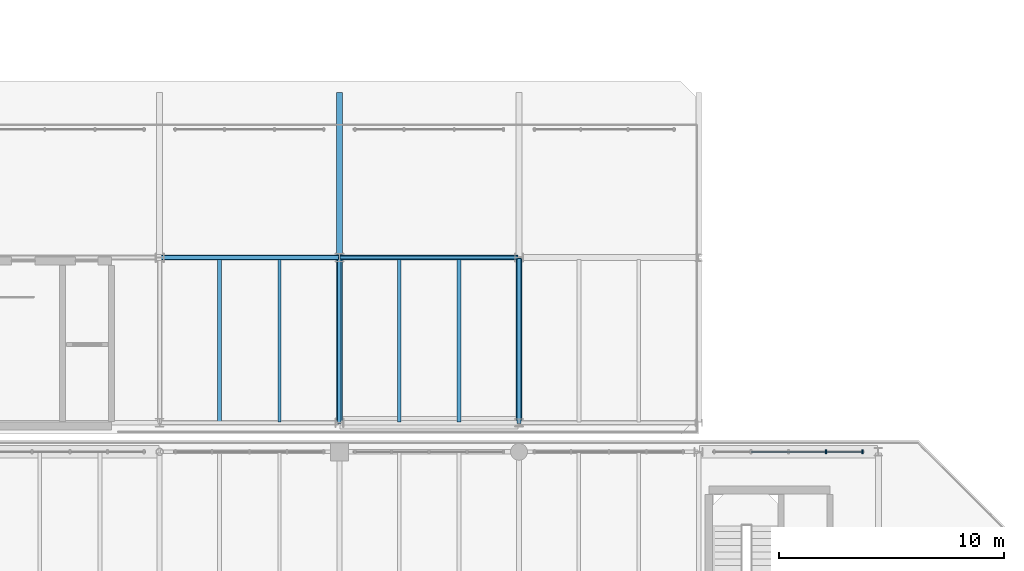
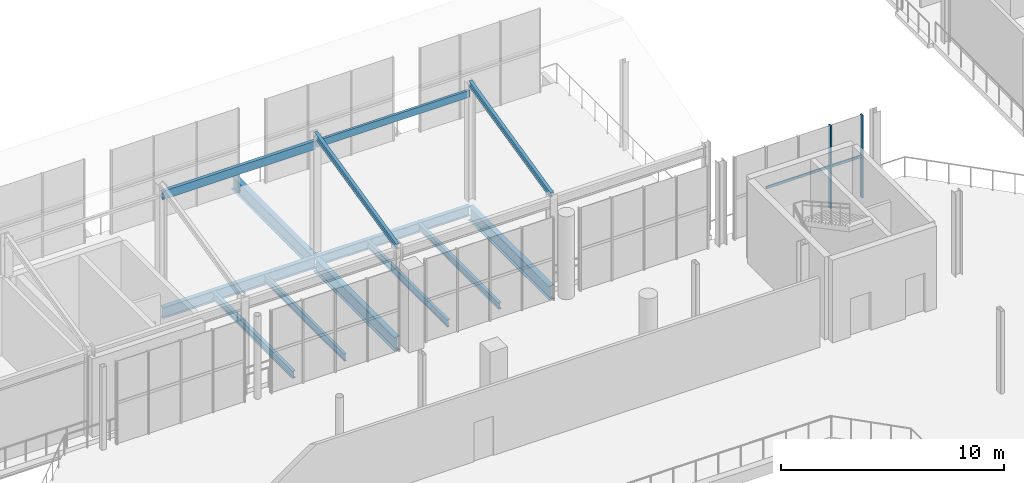
# One storey, part 34 of 70: 9 beams, 9 members, 1 element without a shape of its own.
"""IFC4 building model written with IfcOpenShell, lengths in metres."""

from ifc_helpers import new_model, si_unit, direction, frame, origin, origin_2d, place, context, subcontext, project, spatial, rectangle, i_section, extrude, material, material_profile, profile_set, type_object, element, aggregate, save


model = new_model("IFC4")

# Units and contexts
model_context = context("Model", 3, precision=1e-05, world=origin(), true_north=direction((0.0, 1.0)))
body_context = subcontext(model_context, "Body", "Model", "MODEL_VIEW")
ifc_project = project(units=[si_unit("LENGTHUNIT", "METRE"), si_unit("AREAUNIT", "SQUARE_METRE"), si_unit("VOLUMEUNIT", "CUBIC_METRE"), si_unit("PLANEANGLEUNIT", "RADIAN"), si_unit("MASSUNIT", "GRAM", prefix="KILO")], contexts=[model_context])

# Site, building, storey
site_placement = place(None, origin())
site = spatial("IfcSite", under=ifc_project, at=site_placement, CompositionType="ELEMENT")
building_placement = place(site_placement, origin())
building = spatial("IfcBuilding", under=site, at=building_placement, Name="Brisemont Oceanarium", CompositionType="ELEMENT")
storey_placement = place(building_placement, frame((0.0, 0.0, 10.199951171875)))
storey = spatial("IfcBuildingStorey", under=building, at=storey_placement, Name="L02", CompositionType="ELEMENT", Elevation=10.199951171875)

# Beams
ifc_material_1 = material(Name="Structural Steel ASTM A992 Gr.50", Category="steel")
ifc_material_profile_1 = material_profile(ifc_material_1, i_section(OverallWidth=0.1708984375, OverallDepth=0.35107421875, WebThickness=0.0068359375, FlangeThickness=0.009765625, FilletRadius=0.010009765625, at=origin_2d()), Name="W14X30")
ifc_profile_set_1 = profile_set([ifc_material_profile_1], Name="Structural Steel ASTM A992 Gr.50")
beam_type_1 = type_object("IfcBeamType", Name="BM-W14X30", PredefinedType="JOIST", material=ifc_profile_set_1)
beam_1_placement = place(storey_placement, frame((85.333251953125, 80.68994140625, -0.475341796875), z_axis=(0.0, 1.0, 0.0), x_axis=(-1.0, 0.0, 0.0)))
element("IfcBeam", 1, at=beam_1_placement, inside=storey, type_object=beam_type_1, Name="V7E L02 secondary floor beam", PredefinedType="JOIST", context=body_context, shape_type="SweptSolid", body=[
    extrude(i_section(OverallWidth=0.1708984375, OverallDepth=0.35107421875, WebThickness=0.0068359375, FlangeThickness=0.009765625, FilletRadius=0.010009765625, at=origin_2d()), origin(), (0.0, 0.0, 1.0), 7.219970703125),
])
ifc_material_2 = material(Name="Structural Steel ASTM A992 Gr.50", Category="steel")
ifc_material_profile_2 = material_profile(ifc_material_2, i_section(OverallWidth=0.139892578125, OverallDepth=0.39892578125, WebThickness=0.00634765625, FlangeThickness=0.0087890625, FilletRadius=0.010009765625, at=origin_2d()), Name="W16X26")
ifc_profile_set_2 = profile_set([ifc_material_profile_2], Name="Structural Steel ASTM A992 Gr.50")
beam_type_2 = type_object("IfcBeamType", Name="BM-W16X26", PredefinedType="JOIST", material=ifc_profile_set_2)
for number, where, z_axis, x_axis, name in (
    (2, (77.333251953125, 80.68994140625, -0.49951171875), (0.0, 1.0, 0.0), (-1.0, 0.0, 0.0), "V7E L02 secondary floor beam"),
    (3, (82.666748046875, 80.68994140625, -0.49951171875), (0.0, 1.0, 0.0), (-1.0, 0.0, 0.0), "V7E L02 secondary floor beam"),
):
    element("IfcBeam", number, at=place(storey_placement, frame(where, z_axis=z_axis, x_axis=x_axis)), inside=storey, type_object=beam_type_2, Name=name, PredefinedType="JOIST", context=body_context, shape_type="SweptSolid", body=[
        extrude(i_section(OverallWidth=0.139892578125, OverallDepth=0.39892578125, WebThickness=0.00634765625, FlangeThickness=0.0087890625, FilletRadius=0.010009765625, at=origin_2d()), origin(), (0.0, 0.0, 1.0), 7.219970703125),
    ])
ifc_material_3 = material(Name="Structural Steel ASTM A992 Gr.50", Category="steel")
ifc_material_profile_3 = material_profile(ifc_material_3, i_section(OverallWidth=0.177978515625, OverallDepth=0.404052734375, WebThickness=0.007568359375, FlangeThickness=0.010986328125, FilletRadius=0.010009765625, at=origin_2d()), Name="W16X36")
ifc_profile_set_3 = profile_set([ifc_material_profile_3], Name="Structural Steel ASTM A992 Gr.50")
beam_type_3 = type_object("IfcBeamType", Name="BM-W16X36", PredefinedType="JOIST", material=ifc_profile_set_3)
beam_2_placement = place(storey_placement, frame((74.666748046875, 80.68994140625, -0.501953125), z_axis=(0.0, 1.0, 0.0), x_axis=(-1.0, 0.0, 0.0)))
element("IfcBeam", 4, at=beam_2_placement, inside=storey, type_object=beam_type_3, Name="V7E L02 secondary floor beam", PredefinedType="JOIST", context=body_context, shape_type="SweptSolid", body=[
    extrude(i_section(OverallWidth=0.177978515625, OverallDepth=0.404052734375, WebThickness=0.007568359375, FlangeThickness=0.010986328125, FilletRadius=0.010009765625, at=origin_2d()), origin(), (0.0, 0.0, 1.0), 7.219970703125),
])
ifc_material_4 = material(Name="Structural Steel ASTM A992 Gr.50", Category="steel")
ifc_material_profile_4 = material_profile(ifc_material_4, i_section(OverallWidth=0.2099609375, OverallDepth=0.532958984375, WebThickness=0.01025390625, FlangeThickness=0.015625, FilletRadius=0.012939453125, at=origin_2d()), Name="W21X62")
ifc_profile_set_4 = profile_set([ifc_material_profile_4], Name="Structural Steel ASTM A992 Gr.50")
beam_type_4 = type_object("IfcBeamType", Name="BM-W21X62", PredefinedType="BEAM", material=ifc_profile_set_4)
beam_3_placement = place(storey_placement, frame((80.0400390625, 88.0, -0.56640625), z_axis=(1.0, 0.0, 0.0), x_axis=(0.0, 1.0, 0.0)))
element("IfcBeam", 5, at=beam_3_placement, inside=storey, type_object=beam_type_4, Name="V7E L02 EW girder", PredefinedType="BEAM", context=body_context, shape_type="SweptSolid", body=[
    extrude(i_section(OverallWidth=0.2099609375, OverallDepth=0.532958984375, WebThickness=0.01025390625, FlangeThickness=0.015625, FilletRadius=0.012939453125, at=origin_2d()), origin(), (0.0, 0.0, 1.0), 7.919921875),
])
ifc_material_5 = material(Name="Structural Steel ASTM A992 Gr.50", Category="steel")
ifc_material_profile_5 = material_profile(ifc_material_5, i_section(OverallWidth=0.22802734375, OverallDepth=0.60205078125, WebThickness=0.010498046875, FlangeThickness=0.014892578125, FilletRadius=0.012939453125, at=origin_2d()), Name="W24X68")
ifc_profile_set_5 = profile_set([ifc_material_profile_5], Name="Structural Steel ASTM A992 Gr.50")
beam_type_5 = type_object("IfcBeamType", Name="BM-W24X68", PredefinedType="BEAM", material=ifc_profile_set_5)
beam_4_placement = place(storey_placement, frame((72.0400390625, 88.0, -0.600830078125), z_axis=(1.0, 0.0, 0.0), x_axis=(0.0, 1.0, 0.0)))
element("IfcBeam", 6, at=beam_4_placement, inside=storey, type_object=beam_type_5, Name="V7E L02 EW girder", PredefinedType="BEAM", context=body_context, shape_type="SweptSolid", body=[
    extrude(i_section(OverallWidth=0.22802734375, OverallDepth=0.60205078125, WebThickness=0.010498046875, FlangeThickness=0.014892578125, FilletRadius=0.012939453125, at=origin_2d()), origin(), (0.0, 0.0, 1.0), 7.919921875),
])
ifc_material_6 = material(Name="Structural Steel ASTM A992 Gr.50", Category="steel")
ifc_material_profile_6 = material_profile(ifc_material_6, i_section(OverallWidth=0.26708984375, OverallDepth=0.761962890625, WebThickness=0.014404296875, FlangeThickness=0.021484375, FilletRadius=0.01611328125, at=origin_2d()), Name="W30X116")
ifc_profile_set_6 = profile_set([ifc_material_profile_6], Name="Structural Steel ASTM A992 Gr.50")
beam_type_6 = type_object("IfcBeamType", Name="BM-W30X116", PredefinedType="BEAM", material=ifc_profile_set_6)
beam_5_placement = place(storey_placement, frame((80.0, 80.68994140625, -0.680908203125), z_axis=(0.0, 1.0, 0.0), x_axis=(-1.0, 0.0, 0.0)))
element("IfcBeam", 7, at=beam_5_placement, inside=storey, type_object=beam_type_6, Name="V7E L02 NS girder", PredefinedType="BEAM", context=body_context, shape_type="SweptSolid", body=[
    extrude(i_section(OverallWidth=0.26708984375, OverallDepth=0.761962890625, WebThickness=0.014404296875, FlangeThickness=0.021484375, FilletRadius=0.01611328125, at=origin_2d()), origin(), (0.0, 0.0, 1.0), 7.27001953125),
])
ifc_material_7 = material(Name="Structural Steel ASTM A992 Gr.50", Category="steel")
ifc_material_profile_7 = material_profile(ifc_material_7, i_section(OverallWidth=0.264892578125, OverallDepth=0.7529296875, WebThickness=0.01318359375, FlangeThickness=0.01708984375, FilletRadius=0.01611328125, at=origin_2d()), Name="W30X99")
ifc_profile_set_7 = profile_set([ifc_material_profile_7], Name="Structural Steel ASTM A992 Gr.50")
beam_type_7 = type_object("IfcBeamType", Name="BM-W30X99", PredefinedType="BEAM", material=ifc_profile_set_7)
beam_6_placement = place(storey_placement, frame((80.0, 88.0400390625, -0.676513671875), z_axis=(0.0, 1.0, 0.0), x_axis=(-1.0, 0.0, 0.0)))
element("IfcBeam", 8, at=beam_6_placement, inside=storey, type_object=beam_type_7, Name="V7E L02 NS girder", PredefinedType="BEAM", context=body_context, shape_type="SweptSolid", body=[
    extrude(i_section(OverallWidth=0.264892578125, OverallDepth=0.7529296875, WebThickness=0.01318359375, FlangeThickness=0.01708984375, FilletRadius=0.01611328125, at=origin_2d()), origin(), (0.0, 0.0, 1.0), 7.320068359375),
])
beam_7_placement = place(storey_placement, frame((88.0, 80.68994140625, -0.676513671875), z_axis=(0.0, 1.0, 0.0), x_axis=(-1.0, 0.0, 0.0)))
element("IfcBeam", 9, at=beam_7_placement, inside=storey, type_object=beam_type_7, Name="V7E L02 NS girder", PredefinedType="BEAM", context=body_context, shape_type="SweptSolid", body=[
    extrude(i_section(OverallWidth=0.264892578125, OverallDepth=0.7529296875, WebThickness=0.01318359375, FlangeThickness=0.01708984375, FilletRadius=0.01611328125, at=origin_2d()), origin(), (0.0, 0.0, 1.0), 7.27001953125),
])

# Curtain wall, members
ifc_material_8 = material(Name="Anodized Extruded Aluminum 6063-T6", Category="aluminium")
curtain_wall_type = type_object("IfcCurtainWallType", Name="CW-POR-69X44", PredefinedType="NOTDEFINED", material=ifc_material_8)
curtain_wall_placement = place(storey_placement, origin())
curtain_wall = element("IfcCurtainWall", 10, at=curtain_wall_placement, inside=storey, type_object=curtain_wall_type, Name="CW-20 curtain wall CW-V1-N-L02-05", PredefinedType="NOTDEFINED")
ifc_material_9 = material(Name="Anodized Extruded Aluminum 6063-T6", Category="aluminium")
ifc_material_profile_8 = material_profile(ifc_material_9, rectangle(XDim=0.06494140625, YDim=0.179931640625, at=origin_2d()), Name="CWM-65X180")
ifc_profile_set_8 = profile_set([ifc_material_profile_8], Name="Anodized Extruded Aluminum 6063-T6")
member_type_1 = type_object("IfcMemberType", Name="MEM-CWM-65", PredefinedType="MULLION", material=ifc_profile_set_8)
member_1_placement = place(storey_placement, frame((101.675048828125, 79.35009765625, 0.0), z_axis=(0.0, 0.0, 1.0), x_axis=(1.0, 0.0, 0.0)))
member_1 = element("IfcMember", 11, at=member_1_placement, type_object=member_type_1, Name="CW-V1-N-L02-05 mullion 4", PredefinedType="MULLION", context=body_context, shape_type="SweptSolid", body=[
    extrude(rectangle(XDim=0.06494140625, YDim=0.179931640625, at=origin_2d()), origin(), (0.0, 0.0, 1.0), 4.52001953125),
])
member_2_placement = place(storey_placement, frame((103.304931640625, 79.35009765625, 0.0), z_axis=(0.0, 0.0, 1.0), x_axis=(1.0, 0.0, 0.0)))
member_2 = element("IfcMember", 12, at=member_2_placement, type_object=member_type_1, Name="CW-V1-N-L02-05 mullion 5", PredefinedType="MULLION", context=body_context, shape_type="SweptSolid", body=[
    extrude(rectangle(XDim=0.06494140625, YDim=0.179931640625, at=origin_2d()), origin(), (0.0, 0.0, 1.0), 4.52001953125),
])
ifc_material_10 = material(Name="Anodized Extruded Aluminum 6063-T6", Category="aluminium")
ifc_material_profile_9 = material_profile(ifc_material_10, rectangle(XDim=0.06494140625, YDim=0.139892578125, at=origin_2d()), Name="CWT-65X140")
ifc_profile_set_9 = profile_set([ifc_material_profile_9], Name="Anodized Extruded Aluminum 6063-T6")
member_type_2 = type_object("IfcMemberType", Name="MEM-CWT-65", PredefinedType="USERDEFINED", material=ifc_profile_set_9)
member_3_placement = place(storey_placement, frame((98.340087890625, 79.35009765625, 2.260009765625), z_axis=(1.0, 0.0, 0.0), x_axis=(0.0, 1.0, 0.0)))
member_3 = element("IfcMember", 13, at=member_3_placement, type_object=member_type_2, Name="CW-V1-N-L02-05 transom 2.1", ObjectType="TRANSOM", PredefinedType="USERDEFINED", context=body_context, shape_type="SweptSolid", body=[
    extrude(rectangle(XDim=0.06494140625, YDim=0.139892578125, at=origin_2d()), origin(), (0.0, 0.0, 1.0), 1.64501953125),
])
member_4_placement = place(storey_placement, frame((100.014892578125, 79.35009765625, 2.260009765625), z_axis=(1.0, 0.0, 0.0), x_axis=(0.0, 1.0, 0.0)))
member_4 = element("IfcMember", 14, at=member_4_placement, type_object=member_type_2, Name="CW-V1-N-L02-05 transom 3.1", ObjectType="TRANSOM", PredefinedType="USERDEFINED", context=body_context, shape_type="SweptSolid", body=[
    extrude(rectangle(XDim=0.06494140625, YDim=0.139892578125, at=origin_2d()), origin(), (0.0, 0.0, 1.0), 1.64501953125),
])
member_5_placement = place(storey_placement, frame((101.68994140625, 79.35009765625, 2.260009765625), z_axis=(1.0, 0.0, 0.0), x_axis=(0.0, 1.0, 0.0)))
member_5 = element("IfcMember", 15, at=member_5_placement, type_object=member_type_2, Name="CW-V1-N-L02-05 transom 4.1", ObjectType="TRANSOM", PredefinedType="USERDEFINED", context=body_context, shape_type="SweptSolid", body=[
    extrude(rectangle(XDim=0.06494140625, YDim=0.139892578125, at=origin_2d()), origin(), (0.0, 0.0, 1.0), 1.64501953125),
])
aggregate(curtain_wall, [member_1, member_2, member_3, member_4, member_5])

# Members
ifc_material_11 = material(Name="Glulam Timber 24F-V4 DF", Category="wood")
ifc_material_profile_10 = material_profile(ifc_material_11, rectangle(XDim=0.1298828125, YDim=0.381103515625, at=origin_2d()), Name="GL-130X381")
ifc_profile_set_10 = profile_set([ifc_material_profile_10], Name="Glulam Timber 24F-V4 DF")
member_type_3 = type_object("IfcMemberType", Name="MEM-PU-GL130", PredefinedType="PURLIN", material=ifc_profile_set_10)
member_6_placement = place(storey_placement, frame((80.0400390625, 88.0, 5.830078125), z_axis=(1.0, 0.0, 0.0), x_axis=(0.0, 1.0, 0.0)))
element("IfcMember", 16, at=member_6_placement, inside=storey, type_object=member_type_3, Name="V7E ridge purlin 3", PredefinedType="PURLIN", context=body_context, shape_type="SweptSolid", body=[
    extrude(rectangle(XDim=0.1298828125, YDim=0.381103515625, at=origin_2d()), origin(), (0.0, 0.0, 1.0), 7.919921875),
])
ifc_material_12 = material(Name="Glulam Timber 24F-V4 DF", Category="wood")
ifc_material_profile_11 = material_profile(ifc_material_12, rectangle(XDim=0.1708984375, YDim=0.45703125, at=origin_2d()), Name="GL-171X457")
ifc_profile_set_11 = profile_set([ifc_material_profile_11], Name="Glulam Timber 24F-V4 DF")
member_type_4 = type_object("IfcMemberType", Name="MEM-PU-GL171", PredefinedType="PURLIN", material=ifc_profile_set_11)
member_7_placement = place(storey_placement, frame((72.0400390625, 88.0, 5.830078125), z_axis=(1.0, 0.0, 0.0), x_axis=(0.0, 1.0, 0.0)))
element("IfcMember", 17, at=member_7_placement, inside=storey, type_object=member_type_4, Name="V7E ridge purlin 2", PredefinedType="PURLIN", context=body_context, shape_type="SweptSolid", body=[
    extrude(rectangle(XDim=0.1708984375, YDim=0.45703125, at=origin_2d()), origin(), (0.0, 0.0, 1.0), 7.919921875),
])
ifc_material_13 = material(Name="Structural Steel ASTM A992 Gr.50", Category="steel")
ifc_material_profile_12 = material_profile(ifc_material_13, i_section(OverallWidth=0.1650390625, OverallDepth=0.31005859375, WebThickness=0.005859375, FlangeThickness=0.009765625, FilletRadius=0.008056640625, at=origin_2d()), Name="W12X26")
ifc_profile_set_12 = profile_set([ifc_material_profile_12], Name="Structural Steel ASTM A992 Gr.50")
member_type_5 = type_object("IfcMemberType", Name="MEM-RF-W12X26", PredefinedType="RAFTER", material=ifc_profile_set_12)
for number, where, z_axis, x_axis, name in (
    (18, (80.0, 80.64990234375, 4.679931640625), (0.0, 0.974274344973, 0.225365260692), (-1.0, 0.0, 0.0), "V7E pitched roof rafter 3A"),
    (19, (88.0, 80.64990234375, 4.679931640625), (0.0, 0.974274344973, 0.225365260692), (-1.0, 0.0, 0.0), "V7E pitched roof rafter 4A"),
):
    element("IfcMember", number, at=place(storey_placement, frame(where, z_axis=z_axis, x_axis=x_axis)), inside=storey, type_object=member_type_5, Name=name, PredefinedType="RAFTER", context=body_context, shape_type="SweptSolid", body=[
        extrude(i_section(OverallWidth=0.1650390625, OverallDepth=0.31005859375, WebThickness=0.005859375, FlangeThickness=0.009765625, FilletRadius=0.008056640625, at=origin_2d()), origin(), (0.0, 0.0, 1.0), 7.544189453125),
    ])

save(model, "model.ifc")
